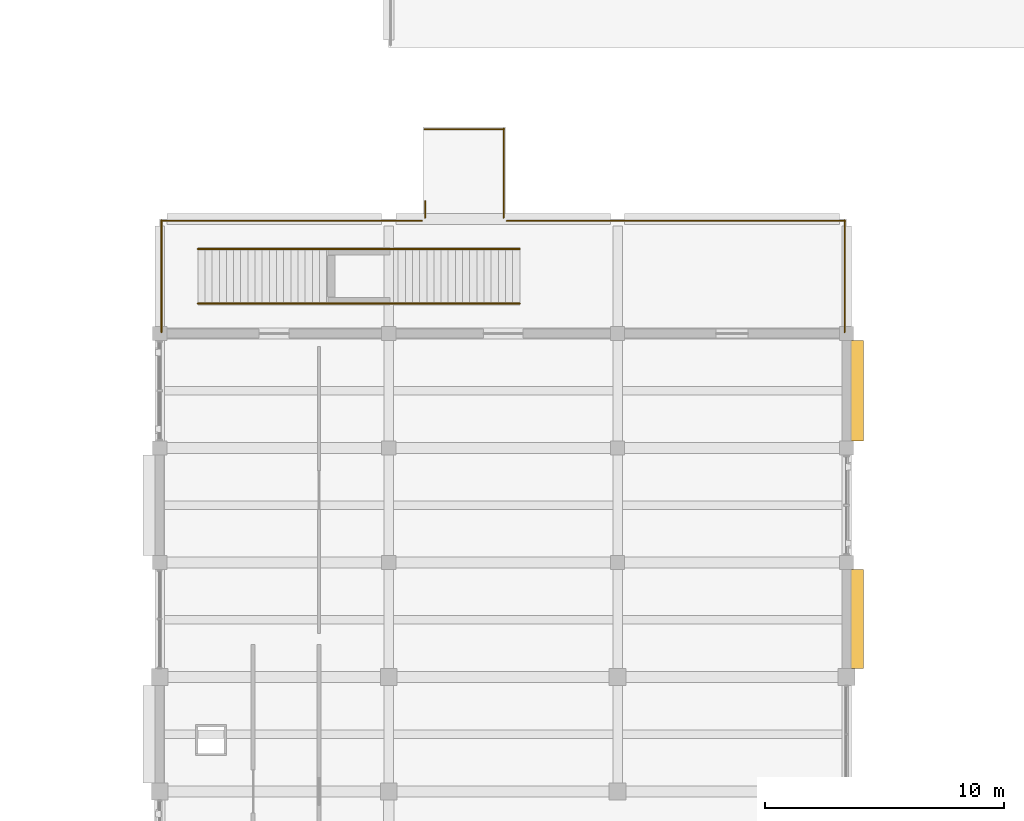
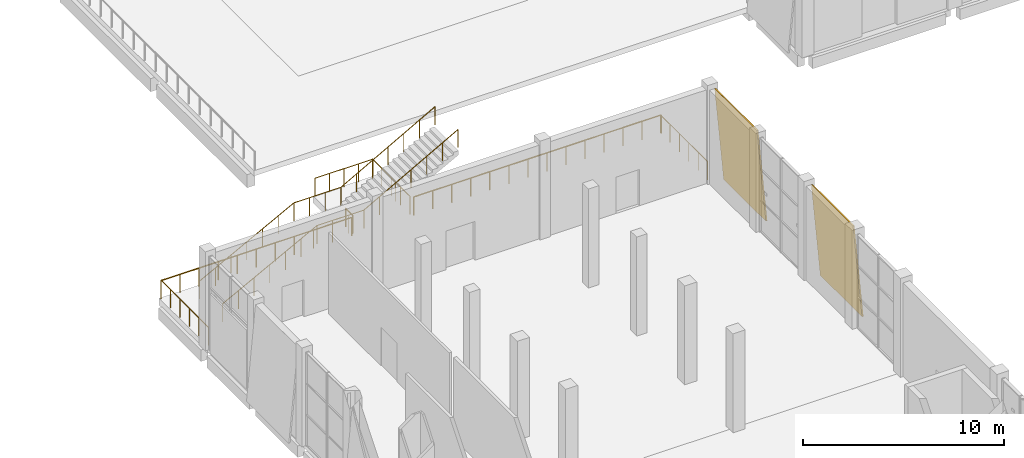
# One storey, part 74 of 84: 9 railings, 2 coverings.
"""IFC4 building model written with IfcOpenShell, lengths in metres."""

from ifc_helpers import new_model, si_unit, direction, frame, origin, origin_2d, place, context, subcontext, project, spatial, polyline, circle, outline, extrude, material, layer, layer_set, type_object, element, save


model = new_model("IFC4")

# Units and contexts
model_context = context("Model", 3, precision=1e-05, world=origin(), true_north=direction((0.0, 1.0)))
body_context = subcontext(model_context, "Body", "Model", "MODEL_VIEW")
ifc_project = project(units=[si_unit("LENGTHUNIT", "METRE"), si_unit("AREAUNIT", "SQUARE_METRE"), si_unit("VOLUMEUNIT", "CUBIC_METRE"), si_unit("PLANEANGLEUNIT", "RADIAN"), si_unit("MASSUNIT", "GRAM", prefix="KILO")], contexts=[model_context])

# Site, building, storey
site_placement = place(None, origin())
site = spatial("IfcSite", under=ifc_project, at=site_placement, CompositionType="ELEMENT")
building_placement = place(site_placement, origin())
building = spatial("IfcBuilding", under=site, at=building_placement, Name="Shalvenor Court Art Gallery", CompositionType="ELEMENT")
storey_placement = place(building_placement, origin())
storey = spatial("IfcBuildingStorey", under=building, at=storey_placement, Name="L00", CompositionType="ELEMENT", Elevation=0.0)

# Coverings
ifc_material_1 = material(Name="Pale Mediterranean limestone cladding", Category="masonry")
ifc_layer = layer(ifc_material_1, 0.080078125, Name="Pale Mediterranean limestone cladding")
ifc_layer_set = layer_set([ifc_layer], Name="Pale Mediterranean limestone cladding")
covering_type = type_object("IfcCoveringType", Name="CLD-01", PredefinedType="CLADDING", material=ifc_layer_set)
covering_1_placement = place(storey_placement, frame((125.5068359375, 33.89990234375, 0.0), z_axis=(0.0, 0.0, 1.0), x_axis=(0.0, 1.0, 0.0)))
element("IfcCovering", 1, at=covering_1_placement, inside=storey, type_object=covering_type, Name="L00 V3 Tapered Limestone Cladding 41", PredefinedType="CLADDING", context=body_context, shape_type="SweptSolid", body=[
    extrude(outline(polyline([(0.0, 0.0), (4.2001953125, 0.0), (4.2001953125, 5.703369140625), (0.0, 5.703369140625), (0.0, 0.0)])), frame((0.0, 0.0, 0.0), z_axis=(0.0, -0.995884398616, 0.090632580198), x_axis=(1.0, 0.0, 0.0)), (0.0, 0.090632580198, -0.995884398616), 0.080322265625),
])
covering_2_placement = place(storey_placement, frame((125.5068359375, 24.35009765625, 0.0), z_axis=(0.0, 0.0, 1.0), x_axis=(0.0, 1.0, 0.0)))
element("IfcCovering", 2, at=covering_2_placement, inside=storey, type_object=covering_type, Name="L00 V3 Tapered Limestone Cladding 42", PredefinedType="CLADDING", context=body_context, shape_type="SweptSolid", body=[
    extrude(outline(polyline([(0.0, 0.0), (4.14990234375, 0.0), (4.14990234375, 5.703369140625), (0.0, 5.703369140625), (0.0, 0.0)])), frame((0.0, 0.0, 0.0), z_axis=(0.0, -0.995884398616, 0.090632580198), x_axis=(1.0, 0.0, 0.0)), (0.0, 0.090632580198, -0.995884398616), 0.080322265625),
])

# Railings
ifc_material_2 = material(Name="Stainless steel and laminated glass balustrade", Category="steel")
railing_type = type_object("IfcRailingType", Name="GR-01", PredefinedType="BALUSTRADE", material=ifc_material_2)
railing_1_placement = place(storey_placement, frame((124.719970703125, 43.139892578125, 0.0)))
element("IfcRailing", 3, at=railing_1_placement, inside=storey, type_object=railing_type, Name="L00 V3 Terrace Balustrade 11", PredefinedType="BALUSTRADE", context=body_context, shape_type="SweptSolid", body=[
    extrude(circle(Radius=0.02392578125, at=origin_2d()), frame((0.0, 0.0, 1.09619140625), z_axis=(0.0, -1.0, 0.0), x_axis=(1.0, 0.0, 0.0)), (0.0, 0.0, 1.0), 4.679931640625),
    extrude(circle(Radius=0.02099609375, at=origin_2d()), origin(), (0.0, 0.0, 1.0), 1.072021484375),
    extrude(circle(Radius=0.02099609375, at=origin_2d()), frame((0.0, -0.93603515625, 0.0)), (0.0, 0.0, 1.0), 1.072021484375),
    extrude(circle(Radius=0.02099609375, at=origin_2d()), frame((0.0, -1.8720703125, 0.0)), (0.0, 0.0, 1.0), 1.072021484375),
    extrude(circle(Radius=0.02099609375, at=origin_2d()), frame((0.0, -2.807861328125, 0.0)), (0.0, 0.0, 1.0), 1.072021484375),
    extrude(circle(Radius=0.02099609375, at=origin_2d()), frame((0.0, -3.743896484375, 0.0)), (0.0, 0.0, 1.0), 1.072021484375),
    extrude(circle(Radius=0.02099609375, at=origin_2d()), frame((0.0, -4.679931640625, 0.0)), (0.0, 0.0, 1.0), 1.072021484375),
])
railing_2_placement = place(storey_placement, frame((96.080078125, 38.4599609375, 0.0)))
element("IfcRailing", 4, at=railing_2_placement, inside=storey, type_object=railing_type, Name="L00 V3 Terrace Balustrade 12", PredefinedType="BALUSTRADE", context=body_context, shape_type="SweptSolid", body=[
    extrude(circle(Radius=0.02392578125, at=origin_2d()), frame((0.0, 0.0, 1.09619140625), z_axis=(0.0, 1.0, 0.0), x_axis=(-1.0, 0.0, 0.0)), (0.0, 0.0, 1.0), 4.679931640625),
    extrude(circle(Radius=0.02099609375, at=origin_2d()), origin(), (0.0, 0.0, 1.0), 1.072021484375),
    extrude(circle(Radius=0.02099609375, at=origin_2d()), frame((0.0, 0.93603515625, 0.0)), (0.0, 0.0, 1.0), 1.072021484375),
    extrude(circle(Radius=0.02099609375, at=origin_2d()), frame((0.0, 1.8720703125, 0.0)), (0.0, 0.0, 1.0), 1.072021484375),
    extrude(circle(Radius=0.02099609375, at=origin_2d()), frame((0.0, 2.807861328125, 0.0)), (0.0, 0.0, 1.0), 1.072021484375),
    extrude(circle(Radius=0.02099609375, at=origin_2d()), frame((0.0, 3.743896484375, 0.0)), (0.0, 0.0, 1.0), 1.072021484375),
    extrude(circle(Radius=0.02099609375, at=origin_2d()), frame((0.0, 4.679931640625, 0.0)), (0.0, 0.0, 1.0), 1.072021484375),
])
railing_3_placement = place(storey_placement, frame((96.06005859375, 43.1201171875, 0.0)))
element("IfcRailing", 5, at=railing_3_placement, inside=storey, type_object=railing_type, Name="L00 V3 Terrace Balustrade 13", PredefinedType="BALUSTRADE", context=body_context, shape_type="SweptSolid", body=[
    extrude(circle(Radius=0.02392578125, at=origin_2d()), frame((0.0, 0.0, 1.09619140625), z_axis=(1.0, 0.0, 0.0), x_axis=(0.0, 1.0, 0.0)), (0.0, 0.0, 1.0), 10.929931640625),
    extrude(circle(Radius=0.02099609375, at=origin_2d()), origin(), (0.0, 0.0, 1.0), 1.072021484375),
    extrude(circle(Radius=0.02099609375, at=origin_2d()), frame((1.093017578125, 0.0, 0.0)), (0.0, 0.0, 1.0), 1.072021484375),
    extrude(circle(Radius=0.02099609375, at=origin_2d()), frame((2.18603515625, 0.0, 0.0)), (0.0, 0.0, 1.0), 1.072021484375),
    extrude(circle(Radius=0.02099609375, at=origin_2d()), frame((3.279052734375, 0.0, 0.0)), (0.0, 0.0, 1.0), 1.072021484375),
    extrude(circle(Radius=0.02099609375, at=origin_2d()), frame((4.3720703125, 0.0, 0.0)), (0.0, 0.0, 1.0), 1.072021484375),
    extrude(circle(Radius=0.02099609375, at=origin_2d()), frame((5.46484375, 0.0, 0.0)), (0.0, 0.0, 1.0), 1.072021484375),
    extrude(circle(Radius=0.02099609375, at=origin_2d()), frame((6.557861328125, 0.0, 0.0)), (0.0, 0.0, 1.0), 1.072021484375),
    extrude(circle(Radius=0.02099609375, at=origin_2d()), frame((7.65087890625, 0.0, 0.0)), (0.0, 0.0, 1.0), 1.072021484375),
    extrude(circle(Radius=0.02099609375, at=origin_2d()), frame((8.743896484375, 0.0, 0.0)), (0.0, 0.0, 1.0), 1.072021484375),
    extrude(circle(Radius=0.02099609375, at=origin_2d()), frame((9.8369140625, 0.0, 0.0)), (0.0, 0.0, 1.0), 1.072021484375),
    extrude(circle(Radius=0.02099609375, at=origin_2d()), frame((10.929931640625, 0.0, 0.0)), (0.0, 0.0, 1.0), 1.072021484375),
])
railing_4_placement = place(storey_placement, frame((107.1298828125, 43.260009765625, 0.0)))
element("IfcRailing", 6, at=railing_4_placement, inside=storey, type_object=railing_type, Name="L00 V3 Terrace Balustrade 14", PredefinedType="BALUSTRADE", context=body_context, shape_type="SweptSolid", body=[
    extrude(circle(Radius=0.02392578125, at=origin_2d()), frame((0.0, 0.0, 1.09619140625), z_axis=(0.0, 1.0, 0.0), x_axis=(-1.0, 0.0, 0.0)), (0.0, 0.0, 1.0), 0.68994140625),
    extrude(circle(Radius=0.02099609375, at=origin_2d()), origin(), (0.0, 0.0, 1.0), 1.072021484375),
    extrude(circle(Radius=0.02099609375, at=origin_2d()), frame((0.0, 0.68994140625, 0.0)), (0.0, 0.0, 1.0), 1.072021484375),
])
railing_5_placement = place(storey_placement, frame((107.110107421875, 46.969970703125, 0.0)))
element("IfcRailing", 7, at=railing_5_placement, inside=storey, type_object=railing_type, Name="L00 V3 Terrace Balustrade 15", PredefinedType="BALUSTRADE", context=body_context, shape_type="SweptSolid", body=[
    extrude(circle(Radius=0.02392578125, at=origin_2d()), frame((0.0, 0.0, 1.09619140625), z_axis=(1.0, 0.0, 0.0), x_axis=(0.0, 1.0, 0.0)), (0.0, 0.0, 1.0), 3.329833984375),
    extrude(circle(Radius=0.02099609375, at=origin_2d()), origin(), (0.0, 0.0, 1.0), 1.072021484375),
    extrude(circle(Radius=0.02099609375, at=origin_2d()), frame((0.83251953125, 0.0, 0.0)), (0.0, 0.0, 1.0), 1.072021484375),
    extrude(circle(Radius=0.02099609375, at=origin_2d()), frame((1.6650390625, 0.0, 0.0)), (0.0, 0.0, 1.0), 1.072021484375),
    extrude(circle(Radius=0.02099609375, at=origin_2d()), frame((2.497314453125, 0.0, 0.0)), (0.0, 0.0, 1.0), 1.072021484375),
    extrude(circle(Radius=0.02099609375, at=origin_2d()), frame((3.329833984375, 0.0, 0.0)), (0.0, 0.0, 1.0), 1.072021484375),
])
railing_6_placement = place(storey_placement, frame((110.419921875, 46.989990234375, 0.0)))
element("IfcRailing", 8, at=railing_6_placement, inside=storey, type_object=railing_type, Name="L00 V3 Terrace Balustrade 16", PredefinedType="BALUSTRADE", context=body_context, shape_type="SweptSolid", body=[
    extrude(circle(Radius=0.02392578125, at=origin_2d()), frame((0.0, 0.0, 1.09619140625), z_axis=(0.0, -1.0, 0.0), x_axis=(1.0, 0.0, 0.0)), (0.0, 0.0, 1.0), 3.72998046875),
    extrude(circle(Radius=0.02099609375, at=origin_2d()), origin(), (0.0, 0.0, 1.0), 1.072021484375),
    extrude(circle(Radius=0.02099609375, at=origin_2d()), frame((0.0, -0.9326171875, 0.0)), (0.0, 0.0, 1.0), 1.072021484375),
    extrude(circle(Radius=0.02099609375, at=origin_2d()), frame((0.0, -1.864990234375, 0.0)), (0.0, 0.0, 1.0), 1.072021484375),
    extrude(circle(Radius=0.02099609375, at=origin_2d()), frame((0.0, -2.79736328125, 0.0)), (0.0, 0.0, 1.0), 1.072021484375),
    extrude(circle(Radius=0.02099609375, at=origin_2d()), frame((0.0, -3.72998046875, 0.0)), (0.0, 0.0, 1.0), 1.072021484375),
])
railing_7_placement = place(storey_placement, frame((110.56005859375, 43.1201171875, 0.0)))
element("IfcRailing", 9, at=railing_7_placement, inside=storey, type_object=railing_type, Name="L00 V3 Terrace Balustrade 17", PredefinedType="BALUSTRADE", context=body_context, shape_type="SweptSolid", body=[
    extrude(circle(Radius=0.02392578125, at=origin_2d()), frame((0.0, 0.0, 1.09619140625), z_axis=(1.0, 0.0, 0.0), x_axis=(0.0, 1.0, 0.0)), (0.0, 0.0, 1.0), 14.179931640625),
    extrude(circle(Radius=0.02099609375, at=origin_2d()), origin(), (0.0, 0.0, 1.0), 1.072021484375),
    extrude(circle(Radius=0.02099609375, at=origin_2d()), frame((1.0908203125, 0.0, 0.0)), (0.0, 0.0, 1.0), 1.072021484375),
    extrude(circle(Radius=0.02099609375, at=origin_2d()), frame((2.181640625, 0.0, 0.0)), (0.0, 0.0, 1.0), 1.072021484375),
    extrude(circle(Radius=0.02099609375, at=origin_2d()), frame((3.272216796875, 0.0, 0.0)), (0.0, 0.0, 1.0), 1.072021484375),
    extrude(circle(Radius=0.02099609375, at=origin_2d()), frame((4.363037109375, 0.0, 0.0)), (0.0, 0.0, 1.0), 1.072021484375),
    extrude(circle(Radius=0.02099609375, at=origin_2d()), frame((5.453857421875, 0.0, 0.0)), (0.0, 0.0, 1.0), 1.072021484375),
    extrude(circle(Radius=0.02099609375, at=origin_2d()), frame((6.544677734375, 0.0, 0.0)), (0.0, 0.0, 1.0), 1.072021484375),
    extrude(circle(Radius=0.02099609375, at=origin_2d()), frame((7.63525390625, 0.0, 0.0)), (0.0, 0.0, 1.0), 1.072021484375),
    extrude(circle(Radius=0.02099609375, at=origin_2d()), frame((8.72607421875, 0.0, 0.0)), (0.0, 0.0, 1.0), 1.072021484375),
    extrude(circle(Radius=0.02099609375, at=origin_2d()), frame((9.81689453125, 0.0, 0.0)), (0.0, 0.0, 1.0), 1.072021484375),
    extrude(circle(Radius=0.02099609375, at=origin_2d()), frame((10.90771484375, 0.0, 0.0)), (0.0, 0.0, 1.0), 1.072021484375),
    extrude(circle(Radius=0.02099609375, at=origin_2d()), frame((11.998291015625, 0.0, 0.0)), (0.0, 0.0, 1.0), 1.072021484375),
    extrude(circle(Radius=0.02099609375, at=origin_2d()), frame((13.089111328125, 0.0, 0.0)), (0.0, 0.0, 1.0), 1.072021484375),
    extrude(circle(Radius=0.02099609375, at=origin_2d()), frame((14.179931640625, 0.0, 0.0)), (0.0, 0.0, 1.0), 1.072021484375),
])
railing_8_placement = place(storey_placement, frame((97.60009765625, 39.659912109375, 0.157958984375)))
element("IfcRailing", 10, at=railing_8_placement, inside=storey, type_object=railing_type, Name="L00 ST-T2 Outdoor Stair Balustrade S", PredefinedType="BALUSTRADE", context=body_context, shape_type="SweptSolid", body=[
    extrude(circle(Radius=0.02392578125, at=origin_2d()), frame((0.0, 0.0, 1.09619140625), z_axis=(0.884919090255, 0.0, 0.465744783871), x_axis=(0.0, 1.0, 0.0)), (0.0, 0.0, 1.0), 6.10205078125),
    extrude(circle(Radius=0.02392578125, at=origin_2d()), frame((5.39990234375, 0.0, 3.93798828125), z_axis=(1.0, 0.0, 0.0), x_axis=(0.0, 1.0, 0.0)), (0.0, 0.0, 1.0), 2.699951171875),
    extrude(circle(Radius=0.02392578125, at=origin_2d()), frame((8.099853515625, 0.0, 3.93798828125), z_axis=(0.874162868644, 0.0, 0.485632864501), x_axis=(0.0, 1.0, 0.0)), (0.0, 0.0, 1.0), 6.177490234375),
    extrude(circle(Radius=0.02099609375, at=origin_2d()), origin(), (0.0, 0.0, 1.0), 1.072021484375),
    extrude(circle(Radius=0.02099609375, at=origin_2d()), frame((0.89990234375, 0.0, 0.4736328125)), (0.0, 0.0, 1.0), 1.072021484375),
    extrude(circle(Radius=0.02099609375, at=origin_2d()), frame((1.800048828125, 0.0, 0.947265625)), (0.0, 0.0, 1.0), 1.072021484375),
    extrude(circle(Radius=0.02099609375, at=origin_2d()), frame((2.699951171875, 0.0, 1.4208984375)), (0.0, 0.0, 1.0), 1.072021484375),
    extrude(circle(Radius=0.02099609375, at=origin_2d()), frame((3.599853515625, 0.0, 1.894775390625)), (0.0, 0.0, 1.0), 1.072021484375),
    extrude(circle(Radius=0.02099609375, at=origin_2d()), frame((4.5, 0.0, 2.368408203125)), (0.0, 0.0, 1.0), 1.072021484375),
    extrude(circle(Radius=0.02099609375, at=origin_2d()), frame((5.39990234375, 0.0, 2.842041015625)), (0.0, 0.0, 1.0), 1.072021484375),
    extrude(circle(Radius=0.02099609375, at=origin_2d()), frame((6.2998046875, 0.0, 2.842041015625)), (0.0, 0.0, 1.0), 1.072021484375),
    extrude(circle(Radius=0.02099609375, at=origin_2d()), frame((7.199951171875, 0.0, 2.842041015625)), (0.0, 0.0, 1.0), 1.072021484375),
    extrude(circle(Radius=0.02099609375, at=origin_2d()), frame((8.099853515625, 0.0, 2.842041015625)), (0.0, 0.0, 1.0), 1.072021484375),
    extrude(circle(Radius=0.02099609375, at=origin_2d()), frame((9.0, 0.0, 3.342041015625)), (0.0, 0.0, 1.0), 1.072021484375),
    extrude(circle(Radius=0.02099609375, at=origin_2d()), frame((9.89990234375, 0.0, 3.842041015625)), (0.0, 0.0, 1.0), 1.072021484375),
    extrude(circle(Radius=0.02099609375, at=origin_2d()), frame((10.7998046875, 0.0, 4.342041015625)), (0.0, 0.0, 1.0), 1.072021484375),
    extrude(circle(Radius=0.02099609375, at=origin_2d()), frame((11.699951171875, 0.0, 4.842041015625)), (0.0, 0.0, 1.0), 1.072021484375),
    extrude(circle(Radius=0.02099609375, at=origin_2d()), frame((12.60009765625, 0.0, 5.342041015625)), (0.0, 0.0, 1.0), 1.072021484375),
    extrude(circle(Radius=0.02099609375, at=origin_2d()), frame((13.5, 0.0, 5.842041015625)), (0.0, 0.0, 1.0), 1.072021484375),
])
railing_9_placement = place(storey_placement, frame((97.60009765625, 41.93994140625, 0.157958984375)))
element("IfcRailing", 11, at=railing_9_placement, inside=storey, type_object=railing_type, Name="L00 ST-T2 Outdoor Stair Balustrade N", PredefinedType="BALUSTRADE", context=body_context, shape_type="SweptSolid", body=[
    extrude(circle(Radius=0.02392578125, at=origin_2d()), frame((0.0, 0.0, 1.09619140625), z_axis=(0.884919090255, 0.0, 0.465744783871), x_axis=(0.0, 1.0, 0.0)), (0.0, 0.0, 1.0), 6.10205078125),
    extrude(circle(Radius=0.02392578125, at=origin_2d()), frame((5.39990234375, 0.0, 3.93798828125), z_axis=(1.0, 0.0, 0.0), x_axis=(0.0, 1.0, 0.0)), (0.0, 0.0, 1.0), 2.699951171875),
    extrude(circle(Radius=0.02392578125, at=origin_2d()), frame((8.099853515625, 0.0, 3.93798828125), z_axis=(0.874162868644, 0.0, 0.485632864501), x_axis=(0.0, 1.0, 0.0)), (0.0, 0.0, 1.0), 6.177490234375),
    extrude(circle(Radius=0.02099609375, at=origin_2d()), origin(), (0.0, 0.0, 1.0), 1.072021484375),
    extrude(circle(Radius=0.02099609375, at=origin_2d()), frame((0.89990234375, 0.0, 0.4736328125)), (0.0, 0.0, 1.0), 1.072021484375),
    extrude(circle(Radius=0.02099609375, at=origin_2d()), frame((1.800048828125, 0.0, 0.947265625)), (0.0, 0.0, 1.0), 1.072021484375),
    extrude(circle(Radius=0.02099609375, at=origin_2d()), frame((2.699951171875, 0.0, 1.4208984375)), (0.0, 0.0, 1.0), 1.072021484375),
    extrude(circle(Radius=0.02099609375, at=origin_2d()), frame((3.599853515625, 0.0, 1.894775390625)), (0.0, 0.0, 1.0), 1.072021484375),
    extrude(circle(Radius=0.02099609375, at=origin_2d()), frame((4.5, 0.0, 2.368408203125)), (0.0, 0.0, 1.0), 1.072021484375),
    extrude(circle(Radius=0.02099609375, at=origin_2d()), frame((5.39990234375, 0.0, 2.842041015625)), (0.0, 0.0, 1.0), 1.072021484375),
    extrude(circle(Radius=0.02099609375, at=origin_2d()), frame((6.2998046875, 0.0, 2.842041015625)), (0.0, 0.0, 1.0), 1.072021484375),
    extrude(circle(Radius=0.02099609375, at=origin_2d()), frame((7.199951171875, 0.0, 2.842041015625)), (0.0, 0.0, 1.0), 1.072021484375),
    extrude(circle(Radius=0.02099609375, at=origin_2d()), frame((8.099853515625, 0.0, 2.842041015625)), (0.0, 0.0, 1.0), 1.072021484375),
    extrude(circle(Radius=0.02099609375, at=origin_2d()), frame((9.0, 0.0, 3.342041015625)), (0.0, 0.0, 1.0), 1.072021484375),
    extrude(circle(Radius=0.02099609375, at=origin_2d()), frame((9.89990234375, 0.0, 3.842041015625)), (0.0, 0.0, 1.0), 1.072021484375),
    extrude(circle(Radius=0.02099609375, at=origin_2d()), frame((10.7998046875, 0.0, 4.342041015625)), (0.0, 0.0, 1.0), 1.072021484375),
    extrude(circle(Radius=0.02099609375, at=origin_2d()), frame((11.699951171875, 0.0, 4.842041015625)), (0.0, 0.0, 1.0), 1.072021484375),
    extrude(circle(Radius=0.02099609375, at=origin_2d()), frame((12.60009765625, 0.0, 5.342041015625)), (0.0, 0.0, 1.0), 1.072021484375),
    extrude(circle(Radius=0.02099609375, at=origin_2d()), frame((13.5, 0.0, 5.842041015625)), (0.0, 0.0, 1.0), 1.072021484375),
])

save(model, "model.ifc")
